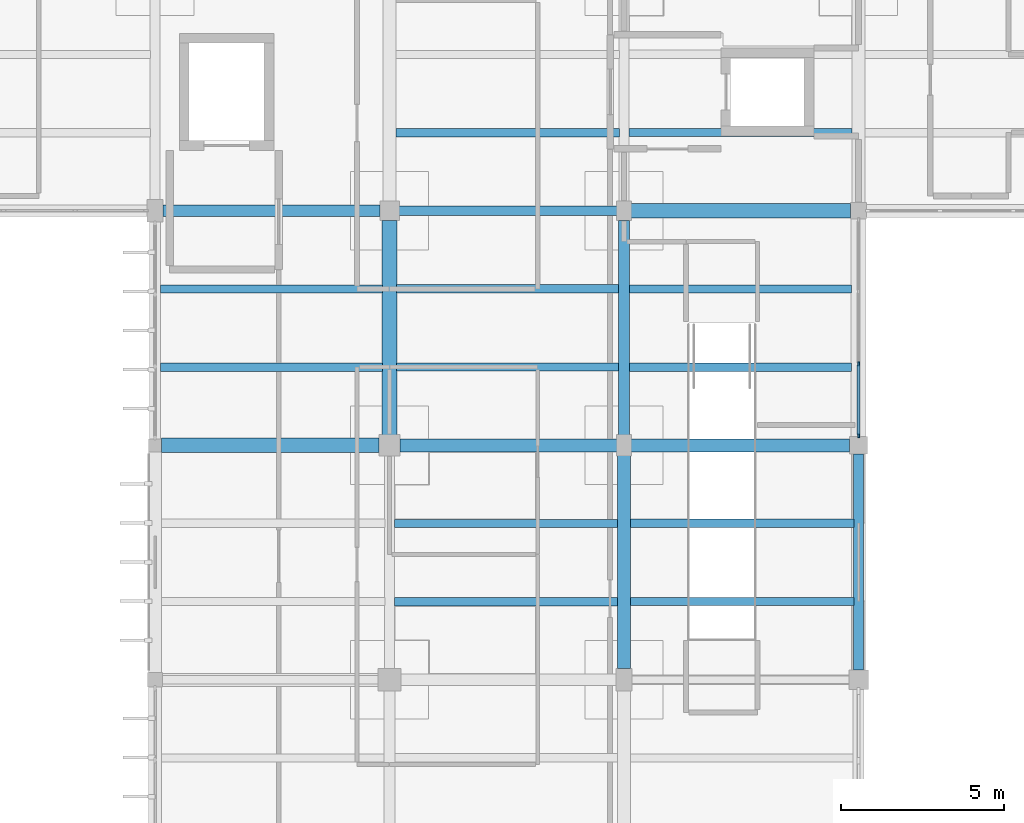
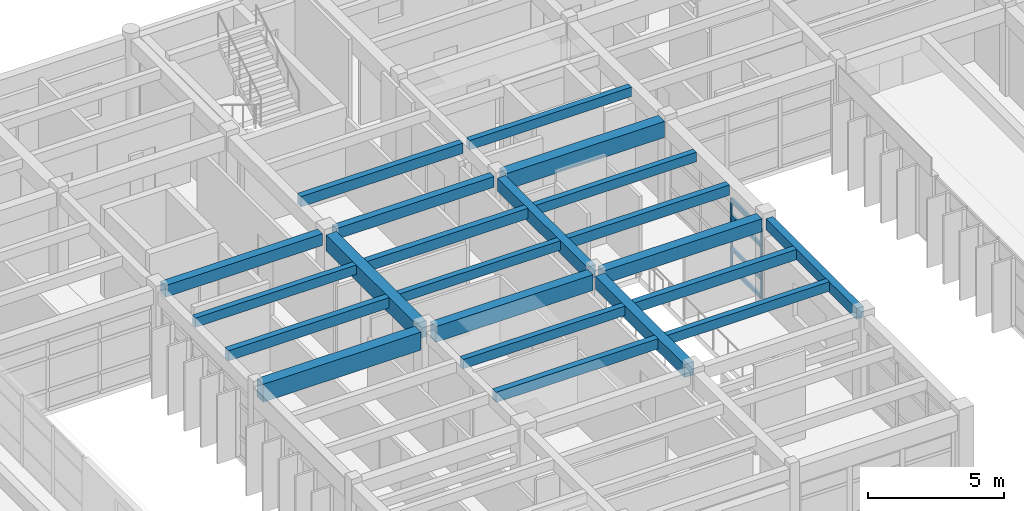
# One storey, part 28 of 100: 22 beams, 6 members, 1 element without a shape of its own.
"""IFC4 building model written with IfcOpenShell, lengths in metres."""

from ifc_helpers import new_model, si_unit, direction, frame, origin, origin_2d, place, context, subcontext, project, spatial, rectangle, extrude, material, material_profile, profile_set, type_object, element, aggregate, save


model = new_model("IFC4")

# Units and contexts
model_context = context("Model", 3, precision=1e-05, world=origin(), true_north=direction((0.0, 1.0)))
body_context = subcontext(model_context, "Body", "Model", "MODEL_VIEW")
ifc_project = project(units=[si_unit("LENGTHUNIT", "METRE"), si_unit("AREAUNIT", "SQUARE_METRE"), si_unit("VOLUMEUNIT", "CUBIC_METRE"), si_unit("PLANEANGLEUNIT", "RADIAN"), si_unit("MASSUNIT", "GRAM", prefix="KILO")], contexts=[model_context])

# Site, building, storey
site_placement = place(None, origin())
site = spatial("IfcSite", under=ifc_project, at=site_placement, CompositionType="ELEMENT")
building_placement = place(site_placement, origin())
building = spatial("IfcBuilding", under=site, at=building_placement, Name="Steenspoor Specialist Clinic", CompositionType="ELEMENT")
storey_placement = place(building_placement, frame((0.0, 0.0, 9.0)))
storey = spatial("IfcBuildingStorey", under=building, at=storey_placement, Name="L02", CompositionType="ELEMENT", Elevation=9.0)

# Beams
ifc_material_1 = material(Name="Concrete C35/45", Category="concrete")
ifc_material_profile_1 = material_profile(ifc_material_1, rectangle(XDim=0.300048828125, YDim=0.47998046875, at=origin_2d()), Name="RC-BM-300X480")
ifc_profile_set_1 = profile_set([ifc_material_profile_1], Name="Concrete C35/45")
beam_type_1 = type_object("IfcBeamType", Name="BM-RC-300X480", PredefinedType="BEAM", material=ifc_profile_set_1)
beam_1_placement = place(storey_placement, frame((81.4951171875, 93.949951171875, 3.7099609375), z_axis=(1.0, 0.0, 0.0), x_axis=(0.0, 1.0, 0.0)))
element("IfcBeam", 1, at=beam_1_placement, inside=storey, type_object=beam_type_1, Name="BM-V4-L02-X0665", PredefinedType="BEAM", context=body_context, shape_type="SweptSolid", body=[
    extrude(rectangle(XDim=0.300048828125, YDim=0.47998046875, at=origin_2d()), origin(), (0.0, 0.0, 1.0), 6.684814453125),
])
beam_2_placement = place(storey_placement, frame((95.60009765625, 79.844970703125, 3.7099609375), z_axis=(0.0, 1.0, 0.0), x_axis=(-1.0, 0.0, 0.0)))
element("IfcBeam", 2, at=beam_2_placement, inside=storey, type_object=beam_type_1, Name="BM-V4-L02-Y0717", PredefinedType="BEAM", context=body_context, shape_type="SweptSolid", body=[
    extrude(rectangle(XDim=0.300048828125, YDim=0.47998046875, at=origin_2d()), origin(), (0.0, 0.0, 1.0), 6.635009765625),
])
ifc_material_profile_2 = material_profile(ifc_material_1, rectangle(XDim=0.35009765625, YDim=0.52001953125, at=origin_2d()), Name="RC-BM-350X520")
ifc_profile_set_2 = profile_set([ifc_material_profile_2], Name="Concrete C35/45")
beam_type_2 = type_object("IfcBeamType", Name="BM-RC-350X520", PredefinedType="BEAM", material=ifc_profile_set_2)
beam_3_placement = place(storey_placement, frame((74.2451171875, 93.949951171875, 3.68994140625), z_axis=(1.0, 0.0, 0.0), x_axis=(0.0, 1.0, 0.0)))
element("IfcBeam", 3, at=beam_3_placement, inside=storey, type_object=beam_type_2, Name="BM-V4-L02-X0664", PredefinedType="BEAM", context=body_context, shape_type="SweptSolid", body=[
    extrude(rectangle(XDim=0.35009765625, YDim=0.52001953125, at=origin_2d()), origin(), (0.0, 0.0, 1.0), 6.659912109375),
])
ifc_material_profile_3 = material_profile(ifc_material_1, rectangle(XDim=0.35009765625, YDim=0.580078125, at=origin_2d()), Name="RC-BM-350X580")
ifc_profile_set_3 = profile_set([ifc_material_profile_3], Name="Concrete C35/45")
beam_type_3 = type_object("IfcBeamType", Name="BM-RC-350X580", PredefinedType="BEAM", material=ifc_profile_set_3)
beam_4_placement = place(storey_placement, frame((88.39990234375, 87.070068359375, 3.659912109375), z_axis=(0.0, 1.0, 0.0), x_axis=(-1.0, 0.0, 0.0)))
element("IfcBeam", 4, at=beam_4_placement, inside=storey, type_object=beam_type_3, Name="BM-V4-L02-Y0713", PredefinedType="BEAM", context=body_context, shape_type="SweptSolid", body=[
    extrude(rectangle(XDim=0.35009765625, YDim=0.580078125, at=origin_2d()), origin(), (0.0, 0.0, 1.0), 6.5849609375),
])
ifc_material_profile_4 = material_profile(ifc_material_1, rectangle(XDim=0.39990234375, YDim=0.580078125, at=origin_2d()), Name="RC-BM-400X580")
ifc_profile_set_4 = profile_set([ifc_material_profile_4], Name="Concrete C35/45")
beam_type_4 = type_object("IfcBeamType", Name="BM-RC-400X580", PredefinedType="BEAM", material=ifc_profile_set_4)
beam_5_placement = place(storey_placement, frame((88.6201171875, 86.75, 3.659912109375), z_axis=(1.0, 0.0, 0.0), x_axis=(0.0, 1.0, 0.0)))
element("IfcBeam", 5, at=beam_5_placement, inside=storey, type_object=beam_type_4, Name="BM-V4-L02-X0659", PredefinedType="BEAM", context=body_context, shape_type="SweptSolid", body=[
    extrude(rectangle(XDim=0.39990234375, YDim=0.580078125, at=origin_2d()), origin(), (0.0, 0.0, 1.0), 6.7099609375),
])
beam_6_placement = place(storey_placement, frame((88.39990234375, 79.89501953125, 3.659912109375), z_axis=(0.0, 1.0, 0.0), x_axis=(-1.0, 0.0, 0.0)))
element("IfcBeam", 6, at=beam_6_placement, inside=storey, type_object=beam_type_4, Name="BM-V4-L02-Y0712", PredefinedType="BEAM", context=body_context, shape_type="SweptSolid", body=[
    extrude(rectangle(XDim=0.39990234375, YDim=0.580078125, at=origin_2d()), origin(), (0.0, 0.0, 1.0), 6.534912109375),
])
ifc_material_profile_5 = material_profile(ifc_material_1, rectangle(XDim=0.39990234375, YDim=0.699951171875, at=origin_2d()), Name="RC-BM-400X700")
ifc_profile_set_5 = profile_set([ifc_material_profile_5], Name="Concrete C35/45")
beam_type_5 = type_object("IfcBeamType", Name="BM-RC-400X700", PredefinedType="BEAM", material=ifc_profile_set_5)
beam_7_placement = place(storey_placement, frame((81.52001953125, 86.75, 3.60009765625), z_axis=(1.0, 0.0, 0.0), x_axis=(0.0, 1.0, 0.0)))
element("IfcBeam", 7, at=beam_7_placement, inside=storey, type_object=beam_type_5, Name="BM-V4-L02-X0658", PredefinedType="BEAM", context=body_context, shape_type="SweptSolid", body=[
    extrude(rectangle(XDim=0.39990234375, YDim=0.699951171875, at=origin_2d()), origin(), (0.0, 0.0, 1.0), 6.659912109375),
])
ifc_material_profile_6 = material_profile(ifc_material_1, rectangle(XDim=0.449951171875, YDim=0.719970703125, at=origin_2d()), Name="RC-BM-450X720")
ifc_profile_set_6 = profile_set([ifc_material_profile_6], Name="Concrete C35/45")
beam_type_6 = type_object("IfcBeamType", Name="BM-RC-450X720", PredefinedType="BEAM", material=ifc_profile_set_6)
beam_8_placement = place(storey_placement, frame((88.6201171875, 93.949951171875, 3.590087890625), z_axis=(1.0, 0.0, 0.0), x_axis=(0.0, 1.0, 0.0)))
element("IfcBeam", 8, at=beam_8_placement, inside=storey, type_object=beam_type_6, Name="BM-V4-L02-X0666", PredefinedType="BEAM", context=body_context, shape_type="SweptSolid", body=[
    extrude(rectangle(XDim=0.449951171875, YDim=0.719970703125, at=origin_2d()), origin(), (0.0, 0.0, 1.0), 6.73486328125),
])
beam_9_placement = place(storey_placement, frame((81.199951171875, 87.070068359375, 3.590087890625), z_axis=(0.0, 1.0, 0.0), x_axis=(-1.0, 0.0, 0.0)))
element("IfcBeam", 9, at=beam_9_placement, inside=storey, type_object=beam_type_6, Name="BM-V4-L02-Y0708", PredefinedType="BEAM", context=body_context, shape_type="SweptSolid", body=[
    extrude(rectangle(XDim=0.449951171875, YDim=0.719970703125, at=origin_2d()), origin(), (0.0, 0.0, 1.0), 6.5849609375),
])
ifc_material_profile_7 = material_profile(ifc_material_1, rectangle(XDim=0.449951171875, YDim=0.800048828125, at=origin_2d()), Name="RC-BM-450X800")
ifc_profile_set_7 = profile_set([ifc_material_profile_7], Name="Concrete C35/45")
beam_type_7 = type_object("IfcBeamType", Name="BM-RC-450X800", PredefinedType="BEAM", material=ifc_profile_set_7)
beam_10_placement = place(storey_placement, frame((74.195068359375, 86.75, 3.550048828125), z_axis=(1.0, 0.0, 0.0), x_axis=(0.0, 1.0, 0.0)))
element("IfcBeam", 10, at=beam_10_placement, inside=storey, type_object=beam_type_7, Name="BM-V4-L02-X0657", PredefinedType="BEAM", context=body_context, shape_type="SweptSolid", body=[
    extrude(rectangle(XDim=0.449951171875, YDim=0.800048828125, at=origin_2d()), origin(), (0.0, 0.0, 1.0), 6.684814453125),
])

# Curtain wall, members
ifc_material_2 = material(Name="Thermally broken aluminium and low-emissivity glass", Category="aluminium")
curtain_wall_type = type_object("IfcCurtainWallType", Name="CW-WLK-360X340", PredefinedType="USERDEFINED", material=ifc_material_2)
curtain_wall_placement = place(storey_placement, origin())
curtain_wall = element("IfcCurtainWall", 11, at=curtain_wall_placement, inside=storey, type_object=curtain_wall_type, Name="Unitised Curtain Wall CW-V4-L02-094", ObjectType="UNITISED GLAZING", PredefinedType="USERDEFINED")
ifc_material_3 = material(Name="Thermally broken aluminium 6063-T6", Category="aluminium")
ifc_material_profile_8 = material_profile(ifc_material_3, rectangle(XDim=0.06005859375, YDim=0.135009765625, at=origin_2d()), Name="CWM-60X135")
ifc_profile_set_8 = profile_set([ifc_material_profile_8], Name="Thermally broken aluminium 6063-T6")
member_type_1 = type_object("IfcMemberType", Name="CW-MULL-60X135", PredefinedType="MULLION", material=ifc_profile_set_8)
member_1_placement = place(storey_placement, frame((95.60009765625, 89.25, 0.0), z_axis=(0.0, 0.0, 1.0), x_axis=(1.0, 0.0, 0.0)))
member_1 = element("IfcMember", 12, at=member_1_placement, type_object=member_type_1, Name="CW-22 mullion 3", PredefinedType="MULLION", context=body_context, shape_type="SweptSolid", body=[
    extrude(rectangle(XDim=0.06005859375, YDim=0.135009765625, at=origin_2d()), origin(), (0.0, 0.0, 1.0), 3.1298828125),
])
member_2_placement = place(storey_placement, frame((95.60009765625, 87.054931640625, 0.0), z_axis=(0.0, 0.0, 1.0), x_axis=(1.0, 0.0, 0.0)))
member_2 = element("IfcMember", 13, at=member_2_placement, type_object=member_type_1, Name="CW-22 mullion 4", PredefinedType="MULLION", context=body_context, shape_type="SweptSolid", body=[
    extrude(rectangle(XDim=0.06005859375, YDim=0.135009765625, at=origin_2d()), origin(), (0.0, 0.0, 1.0), 3.1298828125),
])
ifc_material_profile_9 = material_profile(ifc_material_3, rectangle(XDim=0.090087890625, YDim=0.175048828125, at=origin_2d()), Name="CWT-90X175")
ifc_profile_set_9 = profile_set([ifc_material_profile_9], Name="Thermally broken aluminium 6063-T6")
member_type_2 = type_object("IfcMemberType", Name="CW-TRAN-90X175", PredefinedType="USERDEFINED", material=ifc_profile_set_9)
member_3_placement = place(storey_placement, frame((95.60009765625, 89.219970703125, 0.044921875), z_axis=(0.0, -1.0, 0.0), x_axis=(1.0, 0.0, 0.0)))
member_3 = element("IfcMember", 14, at=member_3_placement, type_object=member_type_2, Name="CW-22 transom 3.1", ObjectType="TRANSOM", PredefinedType="USERDEFINED", context=body_context, shape_type="SweptSolid", body=[
    extrude(rectangle(XDim=0.090087890625, YDim=0.175048828125, at=origin_2d()), origin(), (0.0, 0.0, 1.0), 2.135009765625),
])
member_4_placement = place(storey_placement, frame((95.60009765625, 89.219970703125, 0.89990234375), z_axis=(0.0, -1.0, 0.0), x_axis=(1.0, 0.0, 0.0)))
member_4 = element("IfcMember", 15, at=member_4_placement, type_object=member_type_2, Name="CW-22 transom 3.2", ObjectType="TRANSOM", PredefinedType="USERDEFINED", context=body_context, shape_type="SweptSolid", body=[
    extrude(rectangle(XDim=0.090087890625, YDim=0.175048828125, at=origin_2d()), origin(), (0.0, 0.0, 1.0), 2.135009765625),
])
member_5_placement = place(storey_placement, frame((95.60009765625, 89.219970703125, 2.35009765625), z_axis=(0.0, -1.0, 0.0), x_axis=(1.0, 0.0, 0.0)))
member_5 = element("IfcMember", 16, at=member_5_placement, type_object=member_type_2, Name="CW-22 transom 3.3", ObjectType="TRANSOM", PredefinedType="USERDEFINED", context=body_context, shape_type="SweptSolid", body=[
    extrude(rectangle(XDim=0.090087890625, YDim=0.175048828125, at=origin_2d()), origin(), (0.0, 0.0, 1.0), 2.135009765625),
])
member_6_placement = place(storey_placement, frame((95.60009765625, 89.219970703125, 3.0849609375), z_axis=(0.0, -1.0, 0.0), x_axis=(1.0, 0.0, 0.0)))
member_6 = element("IfcMember", 17, at=member_6_placement, type_object=member_type_2, Name="CW-22 transom 3.4", ObjectType="TRANSOM", PredefinedType="USERDEFINED", context=body_context, shape_type="SweptSolid", body=[
    extrude(rectangle(XDim=0.090087890625, YDim=0.175048828125, at=origin_2d()), origin(), (0.0, 0.0, 1.0), 2.135009765625),
])
aggregate(curtain_wall, [member_1, member_2, member_3, member_4, member_5, member_6])

# Beams
ifc_material_profile_10 = material_profile(ifc_material_1, rectangle(XDim=0.239990234375, YDim=0.419921875, at=origin_2d()), Name="RC-JT-240X420")
ifc_profile_set_10 = profile_set([ifc_material_profile_10], Name="Concrete C35/45")
beam_type_8 = type_object("IfcBeamType", Name="JT-RC-240X420", PredefinedType="JOIST", material=ifc_profile_set_10)
beam_11_placement = place(storey_placement, frame((74.169921875, 91.550048828125, 3.739990234375), z_axis=(1.0, 0.0, 0.0), x_axis=(0.0, 1.0, 0.0)))
element("IfcBeam", 18, at=beam_11_placement, inside=storey, type_object=beam_type_8, Name="JT-V4-L02-0765", PredefinedType="JOIST", context=body_context, shape_type="SweptSolid", body=[
    extrude(rectangle(XDim=0.239990234375, YDim=0.419921875, at=origin_2d()), origin(), (0.0, 0.0, 1.0), 6.81005859375),
])
beam_12_placement = place(storey_placement, frame((81.344970703125, 84.35009765625, 3.739990234375), z_axis=(1.0, 0.0, 0.0), x_axis=(0.0, 1.0, 0.0)))
element("IfcBeam", 19, at=beam_12_placement, inside=storey, type_object=beam_type_8, Name="JT-V4-L02-0771", PredefinedType="JOIST", context=body_context, shape_type="SweptSolid", body=[
    extrude(rectangle(XDim=0.239990234375, YDim=0.419921875, at=origin_2d()), origin(), (0.0, 0.0, 1.0), 6.860107421875),
])
beam_13_placement = place(storey_placement, frame((81.419921875, 89.14990234375, 3.739990234375), z_axis=(1.0, 0.0, 0.0), x_axis=(0.0, 1.0, 0.0)))
element("IfcBeam", 20, at=beam_13_placement, inside=storey, type_object=beam_type_8, Name="JT-V4-L02-0772", PredefinedType="JOIST", context=body_context, shape_type="SweptSolid", body=[
    extrude(rectangle(XDim=0.239990234375, YDim=0.419921875, at=origin_2d()), origin(), (0.0, 0.0, 1.0), 6.81005859375),
])
beam_14_placement = place(storey_placement, frame((88.594970703125, 81.949951171875, 3.739990234375), z_axis=(1.0, 0.0, 0.0), x_axis=(0.0, 1.0, 0.0)))
element("IfcBeam", 21, at=beam_14_placement, inside=storey, type_object=beam_type_8, Name="JT-V4-L02-0778", PredefinedType="JOIST", context=body_context, shape_type="SweptSolid", body=[
    extrude(rectangle(XDim=0.239990234375, YDim=0.419921875, at=origin_2d()), origin(), (0.0, 0.0, 1.0), 6.860107421875),
])
beam_15_placement = place(storey_placement, frame((88.570068359375, 91.550048828125, 3.739990234375), z_axis=(1.0, 0.0, 0.0), x_axis=(0.0, 1.0, 0.0)))
element("IfcBeam", 22, at=beam_15_placement, inside=storey, type_object=beam_type_8, Name="JT-V4-L02-0781", PredefinedType="JOIST", context=body_context, shape_type="SweptSolid", body=[
    extrude(rectangle(XDim=0.239990234375, YDim=0.419921875, at=origin_2d()), origin(), (0.0, 0.0, 1.0), 6.809814453125),
])
beam_16_placement = place(storey_placement, frame((88.544921875, 96.35009765625, 3.739990234375), z_axis=(1.0, 0.0, 0.0), x_axis=(0.0, 1.0, 0.0)))
element("IfcBeam", 23, at=beam_16_placement, inside=storey, type_object=beam_type_8, Name="JT-V4-L02-0782", PredefinedType="JOIST", context=body_context, shape_type="SweptSolid", body=[
    extrude(rectangle(XDim=0.239990234375, YDim=0.419921875, at=origin_2d()), origin(), (0.0, 0.0, 1.0), 6.860107421875),
])
ifc_material_profile_11 = material_profile(ifc_material_1, rectangle(XDim=0.260009765625, YDim=0.4599609375, at=origin_2d()), Name="RC-JT-260X460")
ifc_profile_set_11 = profile_set([ifc_material_profile_11], Name="Concrete C35/45")
beam_type_9 = type_object("IfcBeamType", Name="JT-RC-260X460", PredefinedType="JOIST", material=ifc_profile_set_11)
beam_17_placement = place(storey_placement, frame((74.169921875, 89.14990234375, 3.719970703125), z_axis=(1.0, 0.0, 0.0), x_axis=(0.0, 1.0, 0.0)))
element("IfcBeam", 24, at=beam_17_placement, inside=storey, type_object=beam_type_9, Name="JT-V4-L02-0764", PredefinedType="JOIST", context=body_context, shape_type="SweptSolid", body=[
    extrude(rectangle(XDim=0.260009765625, YDim=0.4599609375, at=origin_2d()), origin(), (0.0, 0.0, 1.0), 6.81005859375),
])
beam_18_placement = place(storey_placement, frame((81.344970703125, 81.949951171875, 3.719970703125), z_axis=(1.0, 0.0, 0.0), x_axis=(0.0, 1.0, 0.0)))
element("IfcBeam", 25, at=beam_18_placement, inside=storey, type_object=beam_type_9, Name="JT-V4-L02-0770", PredefinedType="JOIST", context=body_context, shape_type="SweptSolid", body=[
    extrude(rectangle(XDim=0.260009765625, YDim=0.4599609375, at=origin_2d()), origin(), (0.0, 0.0, 1.0), 6.860107421875),
])
beam_19_placement = place(storey_placement, frame((81.419921875, 91.550048828125, 3.719970703125), z_axis=(1.0, 0.0, 0.0), x_axis=(0.0, 1.0, 0.0)))
element("IfcBeam", 26, at=beam_19_placement, inside=storey, type_object=beam_type_9, Name="JT-V4-L02-0773", PredefinedType="JOIST", context=body_context, shape_type="SweptSolid", body=[
    extrude(rectangle(XDim=0.260009765625, YDim=0.4599609375, at=origin_2d()), origin(), (0.0, 0.0, 1.0), 6.81005859375),
])
beam_20_placement = place(storey_placement, frame((81.39501953125, 96.35009765625, 3.719970703125), z_axis=(1.0, 0.0, 0.0), x_axis=(0.0, 1.0, 0.0)))
element("IfcBeam", 27, at=beam_20_placement, inside=storey, type_object=beam_type_9, Name="JT-V4-L02-0774", PredefinedType="JOIST", context=body_context, shape_type="SweptSolid", body=[
    extrude(rectangle(XDim=0.260009765625, YDim=0.4599609375, at=origin_2d()), origin(), (0.0, 0.0, 1.0), 6.85986328125),
])
beam_21_placement = place(storey_placement, frame((88.594970703125, 84.35009765625, 3.719970703125), z_axis=(1.0, 0.0, 0.0), x_axis=(0.0, 1.0, 0.0)))
element("IfcBeam", 28, at=beam_21_placement, inside=storey, type_object=beam_type_9, Name="JT-V4-L02-0779", PredefinedType="JOIST", context=body_context, shape_type="SweptSolid", body=[
    extrude(rectangle(XDim=0.260009765625, YDim=0.4599609375, at=origin_2d()), origin(), (0.0, 0.0, 1.0), 6.860107421875),
])
beam_22_placement = place(storey_placement, frame((88.570068359375, 89.14990234375, 3.719970703125), z_axis=(1.0, 0.0, 0.0), x_axis=(0.0, 1.0, 0.0)))
element("IfcBeam", 29, at=beam_22_placement, inside=storey, type_object=beam_type_9, Name="JT-V4-L02-0780", PredefinedType="JOIST", context=body_context, shape_type="SweptSolid", body=[
    extrude(rectangle(XDim=0.260009765625, YDim=0.4599609375, at=origin_2d()), origin(), (0.0, 0.0, 1.0), 6.809814453125),
])

save(model, "model.ifc")
